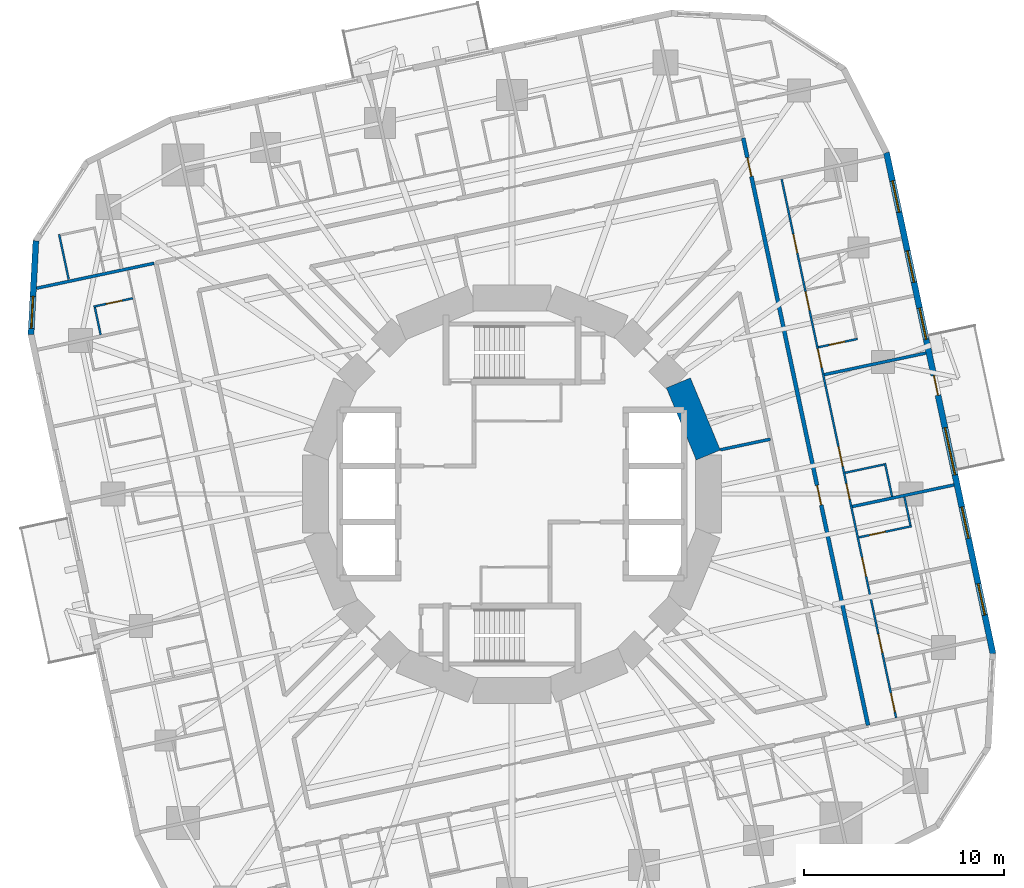
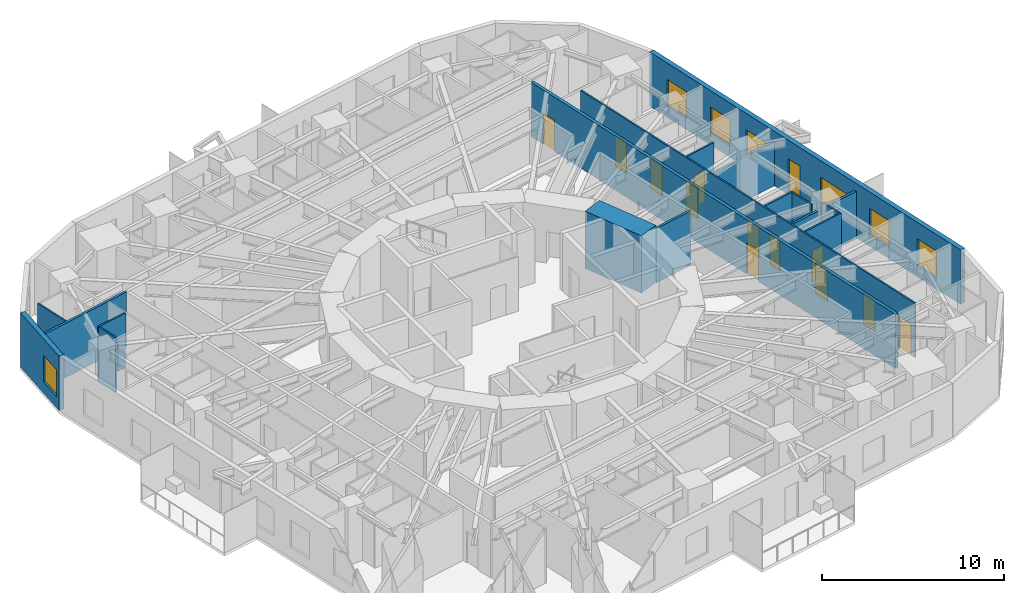
# One storey, part 9 of 14: 17 walls, 14 doors, 7 windows, 21 openings.
"""IFC4 building model written with IfcOpenShell, lengths in metres."""

from ifc_helpers import new_model, si_unit, direction, frame, frame_2d, origin, place, context, subcontext, project, spatial, rectangle, extrude, material, layer, layer_set, type_object, element, fill, save


model = new_model("IFC4")

# Units and contexts
model_context = context("Model", 3, precision=1e-05, world=origin(), true_north=direction((0.0, 1.0)))
body_context = subcontext(model_context, "Body", "Model", "MODEL_VIEW")
ifc_project = project(units=[si_unit("LENGTHUNIT", "METRE"), si_unit("AREAUNIT", "SQUARE_METRE"), si_unit("VOLUMEUNIT", "CUBIC_METRE"), si_unit("PLANEANGLEUNIT", "RADIAN"), si_unit("MASSUNIT", "GRAM", prefix="KILO")], contexts=[model_context])

# Site, building, storey
site_placement = place(None, origin())
site = spatial("IfcSite", under=ifc_project, at=site_placement, CompositionType="ELEMENT")
building_placement = place(site_placement, origin())
building = spatial("IfcBuilding", under=site, at=building_placement, Name="Nakasero Lantern House", CompositionType="ELEMENT")
storey_placement = place(building_placement, frame((0.0, 0.0, 112.699951171875)))
storey = spatial("IfcBuildingStorey", under=building, at=storey_placement, Name="L27", CompositionType="ELEMENT", Elevation=112.699951171875)

# Wall, openings, doors
ifc_material_1 = material(Name="Blockwork", Category="masonry")
ifc_layer_1 = layer(ifc_material_1, 0.10009765625)
ifc_layer_set_1 = layer_set([ifc_layer_1], Name="Cluster hall wall 100")
wall_type_1 = type_object("IfcWallType", Name="Cluster hall wall 100", PredefinedType="PARTITIONING", material=ifc_layer_set_1)
wall_1_placement = place(storey_placement, frame((19.193603515625, -11.1787109375, 0.0), z_axis=(0.0, 0.0, 1.0), x_axis=(-0.207915639441, 0.97814676142, 0.0)))
wall_1 = element("IfcWall", 1, at=wall_1_placement, inside=storey, type_object=wall_type_1, Name="Cluster hall wall L27 HW0-0", PredefinedType="PARTITIONING", context=body_context, shape_type="SweptSolid", body=[
    extrude(rectangle(XDim=27.513427734375, YDim=0.10009765625, at=frame_2d((13.7568359375, 0.0))), origin(), (0.0, 0.0, 1.0), 3.650146484375),
])
opening_1_placement = place(wall_1_placement, frame((12.848876953125, 0.0, 0.0)))
opening_1 = element("IfcOpeningElement", 2, at=opening_1_placement, cuts=wall_1, Name="Opening D03", PredefinedType="OPENING", context=body_context, shape_type="SweptSolid", body=[
    extrude(rectangle(XDim=1.0, YDim=2.10009765625, at=frame_2d((0.5, 1.050048828125))), frame((0.0, 0.070068359375, 0.0), z_axis=(0.0, -1.0, 0.0), x_axis=(1.0, 0.0, 0.0)), (0.0, 0.0, 1.0), 0.14013671875),
])
opening_2_placement = place(wall_1_placement, frame((11.155029296875, 0.0, 0.0)))
opening_2 = element("IfcOpeningElement", 3, at=opening_2_placement, cuts=wall_1, Name="Opening D02", PredefinedType="OPENING", context=body_context, shape_type="SweptSolid", body=[
    extrude(rectangle(XDim=0.800048828125, YDim=2.10009765625, at=frame_2d((0.39990234375, 1.050048828125))), frame((0.0, 0.070068359375, 0.0), z_axis=(0.0, -1.0, 0.0), x_axis=(1.0, 0.0, 0.0)), (0.0, 0.0, 1.0), 0.14013671875),
])
opening_3_placement = place(wall_1_placement, frame((0.300048828125, 0.0, 0.0)))
opening_3 = element("IfcOpeningElement", 4, at=opening_3_placement, cuts=wall_1, Name="Opening D01", PredefinedType="OPENING", context=body_context, shape_type="SweptSolid", body=[
    extrude(rectangle(XDim=0.949951171875, YDim=2.10009765625, at=frame_2d((0.47509765625, 1.050048828125))), frame((0.0, 0.070068359375, 0.0), z_axis=(0.0, -1.0, 0.0), x_axis=(1.0, 0.0, 0.0)), (0.0, 0.0, 1.0), 0.14013671875),
])
opening_4_placement = place(wall_1_placement, frame((3.316162109375, 0.0, 0.0)))
opening_4 = element("IfcOpeningElement", 5, at=opening_4_placement, cuts=wall_1, Name="Opening D01", PredefinedType="OPENING", context=body_context, shape_type="SweptSolid", body=[
    extrude(rectangle(XDim=0.949951171875, YDim=2.10009765625, at=frame_2d((0.47509765625, 1.050048828125))), frame((0.0, 0.070068359375, 0.0), z_axis=(0.0, -1.0, 0.0), x_axis=(1.0, 0.0, 0.0)), (0.0, 0.0, 1.0), 0.14013671875),
])
opening_5_placement = place(wall_1_placement, frame((7.235595703125, 0.0, 0.0)))
opening_5 = element("IfcOpeningElement", 6, at=opening_5_placement, cuts=wall_1, Name="Opening D01", PredefinedType="OPENING", context=body_context, shape_type="SweptSolid", body=[
    extrude(rectangle(XDim=0.949951171875, YDim=2.10009765625, at=frame_2d((0.47509765625, 1.050048828125))), frame((0.0, 0.070068359375, 0.0), z_axis=(0.0, -1.0, 0.0), x_axis=(1.0, 0.0, 0.0)), (0.0, 0.0, 1.0), 0.14013671875),
])
opening_6_placement = place(wall_1_placement, frame((17.892578125, 0.0, 0.0)))
opening_6 = element("IfcOpeningElement", 7, at=opening_6_placement, cuts=wall_1, Name="Opening D01", PredefinedType="OPENING", context=body_context, shape_type="SweptSolid", body=[
    extrude(rectangle(XDim=0.949951171875, YDim=2.10009765625, at=frame_2d((0.47509765625, 1.050048828125))), frame((0.0, 0.070068359375, 0.0), z_axis=(0.0, -1.0, 0.0), x_axis=(1.0, 0.0, 0.0)), (0.0, 0.0, 1.0), 0.14013671875),
])
opening_7_placement = place(wall_1_placement, frame((20.81884765625, 0.0, 0.0)))
opening_7 = element("IfcOpeningElement", 8, at=opening_7_placement, cuts=wall_1, Name="Opening D01", PredefinedType="OPENING", context=body_context, shape_type="SweptSolid", body=[
    extrude(rectangle(XDim=0.949951171875, YDim=2.10009765625, at=frame_2d((0.47509765625, 1.050048828125))), frame((0.0, 0.070068359375, 0.0), z_axis=(0.0, -1.0, 0.0), x_axis=(1.0, 0.0, 0.0)), (0.0, 0.0, 1.0), 0.14013671875),
])
opening_8_placement = place(wall_1_placement, frame((23.745361328125, 0.0, 0.0)))
opening_8 = element("IfcOpeningElement", 9, at=opening_8_placement, cuts=wall_1, Name="Opening D01", PredefinedType="OPENING", context=body_context, shape_type="SweptSolid", body=[
    extrude(rectangle(XDim=0.949951171875, YDim=2.10009765625, at=frame_2d((0.47509765625, 1.050048828125))), frame((0.0, 0.070068359375, 0.0), z_axis=(0.0, -1.0, 0.0), x_axis=(1.0, 0.0, 0.0)), (0.0, 0.0, 1.0), 0.14013671875),
])
ifc_material_2 = material(Name="Timber C24", Category="wood")
door_type_1 = type_object("IfcDoorType", Name="Bedroom door FD30S 950", OperationType="SINGLE_SWING_LEFT", PredefinedType="DOOR", material=ifc_material_2)
door_1_placement = place(opening_3_placement, origin())
door_1 = element("IfcDoor", 10, at=door_1_placement, inside=storey, type_object=door_type_1, Name="Door L27 D0-00", OperationType="SINGLE_SWING_LEFT", OverallHeight=2.10009765625, OverallWidth=0.949951171875, PredefinedType="DOOR", context=body_context, shape_type="SweptSolid", body=[
    extrude(rectangle(XDim=0.949951171875, YDim=2.10009765625, at=frame_2d((0.47509765625, 1.050048828125))), frame((0.0, 0.02490234375, 0.0), z_axis=(0.0, -1.0, 0.0), x_axis=(1.0, 0.0, 0.0)), (0.0, 0.0, 1.0), 0.050048828125),
])
fill(opening_3, door_1)
door_2_placement = place(opening_4_placement, origin())
door_2 = element("IfcDoor", 11, at=door_2_placement, inside=storey, type_object=door_type_1, Name="Door L27 D0-01", OperationType="SINGLE_SWING_LEFT", OverallHeight=2.10009765625, OverallWidth=0.949951171875, PredefinedType="DOOR", context=body_context, shape_type="SweptSolid", body=[
    extrude(rectangle(XDim=0.949951171875, YDim=2.10009765625, at=frame_2d((0.47509765625, 1.050048828125))), frame((0.0, 0.02490234375, 0.0), z_axis=(0.0, -1.0, 0.0), x_axis=(1.0, 0.0, 0.0)), (0.0, 0.0, 1.0), 0.050048828125),
])
fill(opening_4, door_2)
door_3_placement = place(opening_5_placement, origin())
door_3 = element("IfcDoor", 12, at=door_3_placement, inside=storey, type_object=door_type_1, Name="Door L27 D0-02", OperationType="SINGLE_SWING_LEFT", OverallHeight=2.10009765625, OverallWidth=0.949951171875, PredefinedType="DOOR", context=body_context, shape_type="SweptSolid", body=[
    extrude(rectangle(XDim=0.949951171875, YDim=2.10009765625, at=frame_2d((0.47509765625, 1.050048828125))), frame((0.0, 0.02490234375, 0.0), z_axis=(0.0, -1.0, 0.0), x_axis=(1.0, 0.0, 0.0)), (0.0, 0.0, 1.0), 0.050048828125),
])
fill(opening_5, door_3)
door_4_placement = place(opening_6_placement, origin())
door_4 = element("IfcDoor", 13, at=door_4_placement, inside=storey, type_object=door_type_1, Name="Door L27 D0-05", OperationType="SINGLE_SWING_RIGHT", OverallHeight=2.10009765625, OverallWidth=0.949951171875, PredefinedType="DOOR", context=body_context, shape_type="SweptSolid", body=[
    extrude(rectangle(XDim=0.949951171875, YDim=2.10009765625, at=frame_2d((0.47509765625, 1.050048828125))), frame((0.0, 0.02490234375, 0.0), z_axis=(0.0, -1.0, 0.0), x_axis=(1.0, 0.0, 0.0)), (0.0, 0.0, 1.0), 0.050048828125),
])
fill(opening_6, door_4)
door_5_placement = place(opening_7_placement, origin())
door_5 = element("IfcDoor", 14, at=door_5_placement, inside=storey, type_object=door_type_1, Name="Door L27 D0-06", OperationType="SINGLE_SWING_RIGHT", OverallHeight=2.10009765625, OverallWidth=0.949951171875, PredefinedType="DOOR", context=body_context, shape_type="SweptSolid", body=[
    extrude(rectangle(XDim=0.949951171875, YDim=2.10009765625, at=frame_2d((0.47509765625, 1.050048828125))), frame((0.0, 0.02490234375, 0.0), z_axis=(0.0, -1.0, 0.0), x_axis=(1.0, 0.0, 0.0)), (0.0, 0.0, 1.0), 0.050048828125),
])
fill(opening_7, door_5)
door_6_placement = place(opening_8_placement, origin())
door_6 = element("IfcDoor", 15, at=door_6_placement, inside=storey, type_object=door_type_1, Name="Door L27 D0-07", OperationType="SINGLE_SWING_RIGHT", OverallHeight=2.10009765625, OverallWidth=0.949951171875, PredefinedType="DOOR", context=body_context, shape_type="SweptSolid", body=[
    extrude(rectangle(XDim=0.949951171875, YDim=2.10009765625, at=frame_2d((0.47509765625, 1.050048828125))), frame((0.0, 0.02490234375, 0.0), z_axis=(0.0, -1.0, 0.0), x_axis=(1.0, 0.0, 0.0)), (0.0, 0.0, 1.0), 0.050048828125),
])
fill(opening_8, door_6)
ifc_material_3 = material(Name="Timber C24", Category="wood")
door_type_2 = type_object("IfcDoorType", Name="En-suite door 800", OperationType="SINGLE_SWING_RIGHT", PredefinedType="DOOR", material=ifc_material_3)
door_7_placement = place(opening_2_placement, origin())
door_7 = element("IfcDoor", 16, at=door_7_placement, inside=storey, type_object=door_type_2, Name="Door L27 DSH0-0", OperationType="SINGLE_SWING_LEFT", OverallHeight=2.10009765625, OverallWidth=0.800048828125, PredefinedType="DOOR", context=body_context, shape_type="SweptSolid", body=[
    extrude(rectangle(XDim=0.800048828125, YDim=2.10009765625, at=frame_2d((0.39990234375, 1.050048828125))), frame((0.0, 0.02490234375, 0.0), z_axis=(0.0, -1.0, 0.0), x_axis=(1.0, 0.0, 0.0)), (0.0, 0.0, 1.0), 0.050048828125),
])
fill(opening_2, door_7)
ifc_material_4 = material(Name="Timber C24", Category="wood")
door_type_3 = type_object("IfcDoorType", Name="Lounge door FD30S 1000", OperationType="SINGLE_SWING_LEFT", PredefinedType="DOOR", material=ifc_material_4)
door_8_placement = place(opening_1_placement, origin())
door_8 = element("IfcDoor", 17, at=door_8_placement, inside=storey, type_object=door_type_3, Name="Door L27 DH0-0", OperationType="SINGLE_SWING_LEFT", OverallHeight=2.10009765625, OverallWidth=1.0, PredefinedType="DOOR", context=body_context, shape_type="SweptSolid", body=[
    extrude(rectangle(XDim=1.0, YDim=2.10009765625, at=frame_2d((0.5, 1.050048828125))), frame((0.0, 0.02490234375, 0.0), z_axis=(0.0, -1.0, 0.0), x_axis=(1.0, 0.0, 0.0)), (0.0, 0.0, 1.0), 0.050048828125),
])
fill(opening_1, door_8)

# Wall
ifc_material_5 = material(Name="Concrete C50/60", Category="concrete")
ifc_layer_2 = layer(ifc_material_5, 1.300048828125)
ifc_layer_set_2 = layer_set([ifc_layer_2], Name="Core wall 1300")
wall_type_2 = type_object("IfcWallType", Name="Core wall 1300", PredefinedType="SHEAR", material=ifc_layer_set_2)
wall_2_placement = place(storey_placement, frame((9.807861328125, 1.950927734375, 0.0), z_axis=(0.0, 0.0, 1.0), x_axis=(-0.382690736062, 0.923876507187, 0.0)))
element("IfcWall", 18, at=wall_2_placement, inside=storey, type_object=wall_type_2, Name="Core wall L27 facet 1", PredefinedType="SHEAR", context=body_context, shape_type="SweptSolid", body=[
    extrude(rectangle(XDim=3.90185546875, YDim=1.300048828125, at=frame_2d((1.950927734375, 0.0))), origin(), (0.0, 0.0, 1.0), 3.85009765625),
])

# Wall, openings, doors
ifc_material_6 = material(Name="Blockwork", Category="masonry")
ifc_layer_3 = layer(ifc_material_6, 0.199951171875)
ifc_layer_set_3 = layer_set([ifc_layer_3], Name="Corridor wall 200")
wall_type_3 = type_object("IfcWallType", Name="Corridor wall 200", PredefinedType="PARTITIONING", material=ifc_layer_set_3)
wall_3_placement = place(storey_placement, frame((17.790771484375, -11.553466796875, 0.0), z_axis=(0.0, 0.0, 1.0), x_axis=(-0.207911508826, 0.978147639417, 0.0)))
wall_3 = element("IfcWall", 19, at=wall_3_placement, inside=storey, type_object=wall_type_3, Name="Corridor wall L27 CW0", PredefinedType="PARTITIONING", context=body_context, shape_type="SweptSolid", body=[
    extrude(rectangle(XDim=29.999755859375, YDim=0.199951171875, at=frame_2d((15.0, 0.0))), origin(), (0.0, 0.0, 1.0), 3.650146484375),
])
opening_9_placement = place(wall_3_placement, frame((11.255126953125, 0.0, 0.0)))
opening_9 = element("IfcOpeningElement", 20, at=opening_9_placement, cuts=wall_3, Name="Opening D14", PredefinedType="OPENING", context=body_context, shape_type="SweptSolid", body=[
    extrude(rectangle(XDim=1.0, YDim=2.10009765625, at=frame_2d((0.5, 1.050048828125))), frame((0.0, 0.119873046875, 0.0), z_axis=(0.0, -1.0, 0.0), x_axis=(1.0, 0.0, 0.0)), (0.0, 0.0, 1.0), 0.239990234375),
])
opening_10_placement = place(wall_3_placement, frame((28.038330078125, 0.0, 0.0)))
opening_10 = element("IfcOpeningElement", 21, at=opening_10_placement, cuts=wall_3, Name="Opening D01", PredefinedType="OPENING", context=body_context, shape_type="SweptSolid", body=[
    extrude(rectangle(XDim=0.949951171875, YDim=2.10009765625, at=frame_2d((0.47509765625, 1.050048828125))), frame((0.0, 0.119873046875, 0.0), z_axis=(0.0, -1.0, 0.0), x_axis=(1.0, 0.0, 0.0)), (0.0, 0.0, 1.0), 0.239990234375),
])
door_9_placement = place(opening_10_placement, origin())
door_9 = element("IfcDoor", 22, at=door_9_placement, inside=storey, type_object=door_type_1, Name="Door L27 D0-08", OperationType="SINGLE_SWING_RIGHT", OverallHeight=2.10009765625, OverallWidth=0.949951171875, PredefinedType="DOOR", context=body_context, shape_type="SweptSolid", body=[
    extrude(rectangle(XDim=0.949951171875, YDim=2.10009765625, at=frame_2d((0.47509765625, 1.050048828125))), frame((0.0, 0.02490234375, 0.0), z_axis=(0.0, -1.0, 0.0), x_axis=(1.0, 0.0, 0.0)), (0.0, 0.0, 1.0), 0.050048828125),
])
fill(opening_10, door_9)
ifc_material_7 = material(Name="Timber C24", Category="wood")
door_type_4 = type_object("IfcDoorType", Name="Cluster entrance door FD30S 1000", OperationType="SINGLE_SWING_LEFT", PredefinedType="DOOR", material=ifc_material_7)
door_10_placement = place(opening_9_placement, origin())
door_10 = element("IfcDoor", 23, at=door_10_placement, inside=storey, type_object=door_type_4, Name="Door L27 DF0-0", OperationType="SINGLE_SWING_LEFT", OverallHeight=2.10009765625, OverallWidth=1.0, PredefinedType="DOOR", context=body_context, shape_type="SweptSolid", body=[
    extrude(rectangle(XDim=1.0, YDim=2.10009765625, at=frame_2d((0.5, 1.050048828125))), frame((0.0, 0.02490234375, 0.0), z_axis=(0.0, -1.0, 0.0), x_axis=(1.0, 0.0, 0.0)), (0.0, 0.0, 1.0), 0.050048828125),
])
fill(opening_9, door_10)

# Walls
ifc_material_8 = material(Name="Blockwork", Category="masonry")
ifc_layer_4 = layer(ifc_material_8, 0.10009765625)
ifc_layer_set_4 = layer_set([ifc_layer_4], Name="En-suite wall 100")
wall_type_4 = type_object("IfcWallType", Name="En-suite wall 100", PredefinedType="PARTITIONING", material=ifc_layer_set_4)
wall_4_placement = place(storey_placement, frame((16.642578125, 1.0634765625, 0.0), z_axis=(0.0, 0.0, 1.0), x_axis=(0.978134617382, 0.207972763311, 0.0)))
element("IfcWall", 24, at=wall_4_placement, inside=storey, type_object=wall_type_4, Name="En-suite wall L27 SS0-0", PredefinedType="PARTITIONING", context=body_context, shape_type="SweptSolid", body=[
    extrude(rectangle(XDim=2.10009765625, YDim=0.10009765625, at=frame_2d((1.050048828125, 0.0))), origin(), (0.0, 0.0, 1.0), 3.650146484375),
])
wall_5_placement = place(storey_placement, frame((18.99072265625, -0.124267578125, 0.0), z_axis=(0.0, 0.0, 1.0), x_axis=(-0.207812379357, 0.978168704767, 0.0)))
element("IfcWall", 25, at=wall_5_placement, inside=storey, type_object=wall_type_4, Name="En-suite wall L27 SE0-0", PredefinedType="PARTITIONING", context=body_context, shape_type="SweptSolid", body=[
    extrude(rectangle(XDim=1.699951171875, YDim=0.10009765625, at=frame_2d((0.85009765625, 0.0))), origin(), (0.0, 0.0, 1.0), 3.650146484375),
])

# Wall, opening, door
wall_6_placement = place(storey_placement, frame((17.32861328125, -2.164306640625, 0.0), z_axis=(0.0, 0.0, 1.0), x_axis=(0.97815563361, 0.207873895514, 0.0)))
wall_6 = element("IfcWall", 26, at=wall_6_placement, inside=storey, type_object=wall_type_4, Name="En-suite wall L27 ES0-02", PredefinedType="PARTITIONING", context=body_context, shape_type="SweptSolid", body=[
    extrude(rectangle(XDim=2.7001953125, YDim=0.10009765625, at=frame_2d((1.35009765625, 0.0))), origin(), (0.0, 0.0, 1.0), 3.650146484375),
])
opening_11_placement = place(wall_6_placement, frame((0.550048828125, 0.0, 0.0)))
opening_11 = element("IfcOpeningElement", 27, at=opening_11_placement, cuts=wall_6, Name="Opening D02", PredefinedType="OPENING", context=body_context, shape_type="SweptSolid", body=[
    extrude(rectangle(XDim=0.800048828125, YDim=2.10009765625, at=frame_2d((0.39990234375, 1.050048828125))), frame((0.0, 0.070068359375, 0.0), z_axis=(0.0, -1.0, 0.0), x_axis=(1.0, 0.0, 0.0)), (0.0, 0.0, 1.0), 0.14013671875),
])
door_11_placement = place(opening_11_placement, origin())
door_11 = element("IfcDoor", 28, at=door_11_placement, inside=storey, type_object=door_type_2, Name="Door L27 DE0-02", OperationType="SINGLE_SWING_LEFT", OverallHeight=2.10009765625, OverallWidth=0.800048828125, PredefinedType="DOOR", context=body_context, shape_type="SweptSolid", body=[
    extrude(rectangle(XDim=0.800048828125, YDim=2.10009765625, at=frame_2d((0.39990234375, 1.050048828125))), frame((0.0, 0.02490234375, 0.0), z_axis=(0.0, -1.0, 0.0), x_axis=(1.0, 0.0, 0.0)), (0.0, 0.0, 1.0), 0.050048828125),
])
fill(opening_11, door_11)

# Wall
wall_7_placement = place(storey_placement, frame((19.910400390625, -1.564453125, 0.0), z_axis=(0.0, 0.0, 1.0), x_axis=(-0.207953405961, 0.978138732977, 0.0)))
element("IfcWall", 29, at=wall_7_placement, inside=storey, type_object=wall_type_4, Name="En-suite wall L27 EE0-02", PredefinedType="PARTITIONING", context=body_context, shape_type="SweptSolid", body=[
    extrude(rectangle(XDim=1.449951171875, YDim=0.10009765625, at=frame_2d((0.72509765625, 0.0))), origin(), (0.0, 0.0, 1.0), 3.650146484375),
])

# Wall, opening, door
wall_8_placement = place(storey_placement, frame((15.30908203125, 7.337158203125, 0.0), z_axis=(0.0, 0.0, 1.0), x_axis=(0.978152955943, 0.207886494942, 0.0)))
wall_8 = element("IfcWall", 30, at=wall_8_placement, inside=storey, type_object=wall_type_4, Name="En-suite wall L27 ES0-05", PredefinedType="PARTITIONING", context=body_context, shape_type="SweptSolid", body=[
    extrude(rectangle(XDim=2.0, YDim=0.10009765625, at=frame_2d((1.0, 0.0))), origin(), (0.0, 0.0, 1.0), 3.650146484375),
])
opening_12_placement = place(wall_8_placement, frame((0.550048828125, 0.0, 0.0)))
opening_12 = element("IfcOpeningElement", 31, at=opening_12_placement, cuts=wall_8, Name="Opening D02", PredefinedType="OPENING", context=body_context, shape_type="SweptSolid", body=[
    extrude(rectangle(XDim=0.800048828125, YDim=2.10009765625, at=frame_2d((0.39990234375, 1.050048828125))), frame((0.0, 0.070068359375, 0.0), z_axis=(0.0, -1.0, 0.0), x_axis=(1.0, 0.0, 0.0)), (0.0, 0.0, 1.0), 0.14013671875),
])
door_12_placement = place(opening_12_placement, origin())
door_12 = element("IfcDoor", 32, at=door_12_placement, inside=storey, type_object=door_type_2, Name="Door L27 DE0-05", OperationType="SINGLE_SWING_LEFT", OverallHeight=2.10009765625, OverallWidth=0.800048828125, PredefinedType="DOOR", context=body_context, shape_type="SweptSolid", body=[
    extrude(rectangle(XDim=0.800048828125, YDim=2.10009765625, at=frame_2d((0.39990234375, 1.050048828125))), frame((0.0, 0.02490234375, 0.0), z_axis=(0.0, -1.0, 0.0), x_axis=(1.0, 0.0, 0.0)), (0.0, 0.0, 1.0), 0.050048828125),
])
fill(opening_12, door_12)

# Wall
wall_9_placement = place(storey_placement, frame((-22.150634765625, 10.72900390625, 0.0), z_axis=(0.0, 0.0, 1.0), x_axis=(-0.207839712757, 0.978162897375, 0.0)))
element("IfcWall", 33, at=wall_9_placement, inside=storey, type_object=wall_type_4, Name="En-suite wall L27 EV1-08", PredefinedType="PARTITIONING", context=body_context, shape_type="SweptSolid", body=[
    extrude(rectangle(XDim=2.300048828125, YDim=0.10009765625, at=frame_2d((1.14990234375, 0.0))), origin(), (0.0, 0.0, 1.0), 3.650146484375),
])

# Wall, opening, door
wall_10_placement = place(storey_placement, frame((-18.947998046875, 9.783203125, 0.0), z_axis=(0.0, 0.0, 1.0), x_axis=(-0.978128127149, -0.208003285743, 0.0)))
wall_10 = element("IfcWall", 34, at=wall_10_placement, inside=storey, type_object=wall_type_4, Name="En-suite wall L27 ES2-00", PredefinedType="PARTITIONING", context=body_context, shape_type="SweptSolid", body=[
    extrude(rectangle(XDim=2.0, YDim=0.10009765625, at=frame_2d((1.0, 0.0))), origin(), (0.0, 0.0, 1.0), 3.650146484375),
])
opening_13_placement = place(wall_10_placement, frame((0.550048828125, 0.0, 0.0)))
opening_13 = element("IfcOpeningElement", 35, at=opening_13_placement, cuts=wall_10, Name="Opening D02", PredefinedType="OPENING", context=body_context, shape_type="SweptSolid", body=[
    extrude(rectangle(XDim=0.800048828125, YDim=2.10009765625, at=frame_2d((0.39990234375, 1.050048828125))), frame((0.0, 0.070068359375, 0.0), z_axis=(0.0, -1.0, 0.0), x_axis=(1.0, 0.0, 0.0)), (0.0, 0.0, 1.0), 0.14013671875),
])
door_13_placement = place(opening_13_placement, origin())
door_13 = element("IfcDoor", 36, at=door_13_placement, inside=storey, type_object=door_type_2, Name="Door L27 DE2-00", OperationType="SINGLE_SWING_LEFT", OverallHeight=2.10009765625, OverallWidth=0.800048828125, PredefinedType="DOOR", context=body_context, shape_type="SweptSolid", body=[
    extrude(rectangle(XDim=0.800048828125, YDim=2.10009765625, at=frame_2d((0.39990234375, 1.050048828125))), frame((0.0, 0.02490234375, 0.0), z_axis=(0.0, -1.0, 0.0), x_axis=(1.0, 0.0, 0.0)), (0.0, 0.0, 1.0), 0.050048828125),
])
fill(opening_13, door_13)

# Wall
wall_11_placement = place(storey_placement, frame((-20.844970703125, 9.328857421875, 0.0), z_axis=(0.0, 0.0, 1.0), x_axis=(0.207873355681, -0.978155748334, 0.0)))
element("IfcWall", 37, at=wall_11_placement, inside=storey, type_object=wall_type_4, Name="En-suite wall L27 EE2-00", PredefinedType="PARTITIONING", context=body_context, shape_type="SweptSolid", body=[
    extrude(rectangle(XDim=1.39990234375, YDim=0.10009765625, at=frame_2d((0.699951171875, 0.0))), origin(), (0.0, 0.0, 1.0), 3.650146484375),
])

# Wall, openings, door, windows
ifc_material_9 = material(Name="Aluminium rainscreen on blockwork", Category="masonry")
ifc_layer_5 = layer(ifc_material_9, 0.300048828125)
ifc_layer_set_5 = layer_set([ifc_layer_5], Name="Facade wall 300")
wall_type_5 = type_object("IfcWallType", Name="Facade wall 300", PredefinedType="SOLIDWALL", material=ifc_layer_set_5)
wall_12_placement = place(storey_placement, frame((24.03369140625, -7.9775390625, 0.0), z_axis=(0.0, 0.0, 1.0), x_axis=(-0.207909055127, 0.978148160964, 0.0)))
wall_12 = element("IfcWall", 38, at=wall_12_placement, inside=storey, type_object=wall_type_5, Name="Facade wall L27 FW0S", PredefinedType="SOLIDWALL", context=body_context, shape_type="SweptSolid", body=[
    extrude(rectangle(XDim=25.60009765625, YDim=0.300048828125, at=frame_2d((12.800048828125, 0.0))), origin(), (0.0, 0.0, 1.0), 3.650146484375),
])
opening_14_placement = place(wall_12_placement, frame((1.975830078125, 0.0, 0.75)))
opening_14 = element("IfcOpeningElement", 39, at=opening_14_placement, cuts=wall_12, Name="Opening W01", PredefinedType="OPENING", context=body_context, shape_type="SweptSolid", body=[
    extrude(rectangle(XDim=1.60009765625, YDim=1.800048828125, at=frame_2d((0.800048828125, 0.89990234375))), frame((0.0, 0.169921875, 0.0), z_axis=(0.0, -1.0, 0.0), x_axis=(1.0, 0.0, 0.0)), (0.0, 0.0, 1.0), 0.340087890625),
])
opening_15_placement = place(wall_12_placement, frame((5.8955078125, 0.0, 0.75)))
opening_15 = element("IfcOpeningElement", 40, at=opening_15_placement, cuts=wall_12, Name="Opening W01", PredefinedType="OPENING", context=body_context, shape_type="SweptSolid", body=[
    extrude(rectangle(XDim=1.60009765625, YDim=1.800048828125, at=frame_2d((0.800048828125, 0.89990234375))), frame((0.0, 0.169921875, 0.0), z_axis=(0.0, -1.0, 0.0), x_axis=(1.0, 0.0, 0.0)), (0.0, 0.0, 1.0), 0.340087890625),
])
opening_16_placement = place(wall_12_placement, frame((16.0556640625, 0.0, 0.75)))
opening_16 = element("IfcOpeningElement", 41, at=opening_16_placement, cuts=wall_12, Name="Opening W01", PredefinedType="OPENING", context=body_context, shape_type="SweptSolid", body=[
    extrude(rectangle(XDim=1.60009765625, YDim=1.800048828125, at=frame_2d((0.800048828125, 0.89990234375))), frame((0.0, 0.169921875, 0.0), z_axis=(0.0, -1.0, 0.0), x_axis=(1.0, 0.0, 0.0)), (0.0, 0.0, 1.0), 0.340087890625),
])
opening_17_placement = place(wall_12_placement, frame((18.982177734375, 0.0, 0.75)))
opening_17 = element("IfcOpeningElement", 42, at=opening_17_placement, cuts=wall_12, Name="Opening W01", PredefinedType="OPENING", context=body_context, shape_type="SweptSolid", body=[
    extrude(rectangle(XDim=1.60009765625, YDim=1.800048828125, at=frame_2d((0.800048828125, 0.89990234375))), frame((0.0, 0.169921875, 0.0), z_axis=(0.0, -1.0, 0.0), x_axis=(1.0, 0.0, 0.0)), (0.0, 0.0, 1.0), 0.340087890625),
])
opening_18_placement = place(wall_12_placement, frame((22.554443359375, 0.0, 0.75)))
opening_18 = element("IfcOpeningElement", 43, at=opening_18_placement, cuts=wall_12, Name="Opening W01", PredefinedType="OPENING", context=body_context, shape_type="SweptSolid", body=[
    extrude(rectangle(XDim=1.60009765625, YDim=1.800048828125, at=frame_2d((0.800048828125, 0.89990234375))), frame((0.0, 0.169921875, 0.0), z_axis=(0.0, -1.0, 0.0), x_axis=(1.0, 0.0, 0.0)), (0.0, 0.0, 1.0), 0.340087890625),
])
opening_19_placement = place(wall_12_placement, frame((9.139404296875, 0.0, 0.75)))
opening_19 = element("IfcOpeningElement", 44, at=opening_19_placement, cuts=wall_12, Name="Opening W03", PredefinedType="OPENING", context=body_context, shape_type="SweptSolid", body=[
    extrude(rectangle(XDim=2.39990234375, YDim=1.800048828125, at=frame_2d((1.199951171875, 0.89990234375))), frame((0.0, 0.169921875, 0.0), z_axis=(0.0, -1.0, 0.0), x_axis=(1.0, 0.0, 0.0)), (0.0, 0.0, 1.0), 0.340087890625),
])
opening_20_placement = place(wall_12_placement, frame((13.208251953125, 0.0, 0.0)))
opening_20 = element("IfcOpeningElement", 45, at=opening_20_placement, cuts=wall_12, Name="Opening D04", PredefinedType="OPENING", context=body_context, shape_type="SweptSolid", body=[
    extrude(rectangle(XDim=1.0, YDim=2.39990234375, at=frame_2d((0.5, 1.199951171875))), frame((0.0, 0.169921875, 0.0), z_axis=(0.0, -1.0, 0.0), x_axis=(1.0, 0.0, 0.0)), (0.0, 0.0, 1.0), 0.340087890625),
])
ifc_material_10 = material(Name="Aluminium 6063-T6 and glass", Category="aluminium")
door_type_5 = type_object("IfcDoorType", Name="Balcony door 1000x2400", OperationType="SINGLE_SWING_RIGHT", PredefinedType="DOOR", material=ifc_material_10)
door_14_placement = place(opening_20_placement, origin())
door_14 = element("IfcDoor", 46, at=door_14_placement, inside=storey, type_object=door_type_5, Name="Balcony door L27 DB0", OperationType="SINGLE_SWING_RIGHT", OverallHeight=2.39990234375, OverallWidth=1.0, PredefinedType="DOOR", context=body_context, shape_type="SweptSolid", body=[
    extrude(rectangle(XDim=1.0, YDim=2.39990234375, at=frame_2d((0.5, 1.199951171875))), frame((0.0, 0.02490234375, 0.0), z_axis=(0.0, -1.0, 0.0), x_axis=(1.0, 0.0, 0.0)), (0.0, 0.0, 1.0), 0.050048828125),
])
fill(opening_20, door_14)
ifc_material_11 = material(Name="Aluminium 6063-T6 and glass", Category="aluminium")
window_type_1 = type_object("IfcWindowType", Name="Bedroom window 1600x1800", PartitioningType="SINGLE_PANEL", PredefinedType="WINDOW", material=ifc_material_11)
window_1_placement = place(opening_14_placement, origin())
window_1 = element("IfcWindow", 47, at=window_1_placement, inside=storey, type_object=window_type_1, Name="Window L27 WN0-01", OverallHeight=1.800048828125, OverallWidth=1.60009765625, PartitioningType="SINGLE_PANEL", PredefinedType="WINDOW", context=body_context, shape_type="SweptSolid", body=[
    extrude(rectangle(XDim=1.60009765625, YDim=1.800048828125, at=frame_2d((0.800048828125, 0.89990234375))), frame((0.0, 0.030029296875, 0.0), z_axis=(0.0, -1.0, 0.0), x_axis=(1.0, 0.0, 0.0)), (0.0, 0.0, 1.0), 0.06005859375),
])
fill(opening_14, window_1)
window_2_placement = place(opening_15_placement, origin())
window_2 = element("IfcWindow", 48, at=window_2_placement, inside=storey, type_object=window_type_1, Name="Window L27 WN0-02", OverallHeight=1.800048828125, OverallWidth=1.60009765625, PartitioningType="SINGLE_PANEL", PredefinedType="WINDOW", context=body_context, shape_type="SweptSolid", body=[
    extrude(rectangle(XDim=1.60009765625, YDim=1.800048828125, at=frame_2d((0.800048828125, 0.89990234375))), frame((0.0, 0.030029296875, 0.0), z_axis=(0.0, -1.0, 0.0), x_axis=(1.0, 0.0, 0.0)), (0.0, 0.0, 1.0), 0.06005859375),
])
fill(opening_15, window_2)
window_3_placement = place(opening_16_placement, origin())
window_3 = element("IfcWindow", 49, at=window_3_placement, inside=storey, type_object=window_type_1, Name="Window L27 WN0-05", OverallHeight=1.800048828125, OverallWidth=1.60009765625, PartitioningType="SINGLE_PANEL", PredefinedType="WINDOW", context=body_context, shape_type="SweptSolid", body=[
    extrude(rectangle(XDim=1.60009765625, YDim=1.800048828125, at=frame_2d((0.800048828125, 0.89990234375))), frame((0.0, 0.030029296875, 0.0), z_axis=(0.0, -1.0, 0.0), x_axis=(1.0, 0.0, 0.0)), (0.0, 0.0, 1.0), 0.06005859375),
])
fill(opening_16, window_3)
window_4_placement = place(opening_17_placement, origin())
window_4 = element("IfcWindow", 50, at=window_4_placement, inside=storey, type_object=window_type_1, Name="Window L27 WN0-06", OverallHeight=1.800048828125, OverallWidth=1.60009765625, PartitioningType="SINGLE_PANEL", PredefinedType="WINDOW", context=body_context, shape_type="SweptSolid", body=[
    extrude(rectangle(XDim=1.60009765625, YDim=1.800048828125, at=frame_2d((0.800048828125, 0.89990234375))), frame((0.0, 0.030029296875, 0.0), z_axis=(0.0, -1.0, 0.0), x_axis=(1.0, 0.0, 0.0)), (0.0, 0.0, 1.0), 0.06005859375),
])
fill(opening_17, window_4)
window_5_placement = place(opening_18_placement, origin())
window_5 = element("IfcWindow", 51, at=window_5_placement, inside=storey, type_object=window_type_1, Name="Window L27 WN0-07", OverallHeight=1.800048828125, OverallWidth=1.60009765625, PartitioningType="SINGLE_PANEL", PredefinedType="WINDOW", context=body_context, shape_type="SweptSolid", body=[
    extrude(rectangle(XDim=1.60009765625, YDim=1.800048828125, at=frame_2d((0.800048828125, 0.89990234375))), frame((0.0, 0.030029296875, 0.0), z_axis=(0.0, -1.0, 0.0), x_axis=(1.0, 0.0, 0.0)), (0.0, 0.0, 1.0), 0.06005859375),
])
fill(opening_18, window_5)
ifc_material_12 = material(Name="Aluminium 6063-T6 and glass", Category="aluminium")
window_type_2 = type_object("IfcWindowType", Name="Lounge window 2400x1800", PartitioningType="SINGLE_PANEL", PredefinedType="WINDOW", material=ifc_material_12)
window_6_placement = place(opening_19_placement, origin())
window_6 = element("IfcWindow", 52, at=window_6_placement, inside=storey, type_object=window_type_2, Name="Window L27 WK0", OverallHeight=1.800048828125, OverallWidth=2.39990234375, PartitioningType="SINGLE_PANEL", PredefinedType="WINDOW", context=body_context, shape_type="SweptSolid", body=[
    extrude(rectangle(XDim=2.39990234375, YDim=1.800048828125, at=frame_2d((1.199951171875, 0.89990234375))), frame((0.0, 0.030029296875, 0.0), z_axis=(0.0, -1.0, 0.0), x_axis=(1.0, 0.0, 0.0)), (0.0, 0.0, 1.0), 0.06005859375),
])
fill(opening_19, window_6)

# Wall, opening, window
wall_13_placement = place(storey_placement, frame((-23.78857421875, 12.655517578125, 0.0), z_axis=(0.0, 0.0, 1.0), x_axis=(-0.052326317, -0.998630039879, 0.0)))
wall_13 = element("IfcWall", 53, at=wall_13_placement, inside=storey, type_object=wall_type_5, Name="Facade wall L27 FW1C3", PredefinedType="SOLIDWALL", context=body_context, shape_type="SweptSolid", body=[
    extrude(rectangle(XDim=4.684326171875, YDim=0.300048828125, at=frame_2d((2.34228515625, 0.0))), origin(), (0.0, 0.0, 1.0), 3.650146484375),
])
opening_21_placement = place(wall_13_placement, frame((2.784912109375, 0.0, 0.75)))
opening_21 = element("IfcOpeningElement", 54, at=opening_21_placement, cuts=wall_13, Name="Opening W01", PredefinedType="OPENING", context=body_context, shape_type="SweptSolid", body=[
    extrude(rectangle(XDim=1.60009765625, YDim=1.800048828125, at=frame_2d((0.800048828125, 0.89990234375))), frame((0.0, 0.169921875, 0.0), z_axis=(0.0, -1.0, 0.0), x_axis=(1.0, 0.0, 0.0)), (0.0, 0.0, 1.0), 0.340087890625),
])
window_7_placement = place(opening_21_placement, origin())
window_7 = element("IfcWindow", 55, at=window_7_placement, inside=storey, type_object=window_type_1, Name="Window L27 WN2-00", OverallHeight=1.800048828125, OverallWidth=1.60009765625, PartitioningType="SINGLE_PANEL", PredefinedType="WINDOW", context=body_context, shape_type="SweptSolid", body=[
    extrude(rectangle(XDim=1.60009765625, YDim=1.800048828125, at=frame_2d((0.800048828125, 0.89990234375))), frame((0.0, 0.030029296875, 0.0), z_axis=(0.0, -1.0, 0.0), x_axis=(1.0, 0.0, 0.0)), (0.0, 0.0, 1.0), 0.06005859375),
])
fill(opening_21, window_7)

# Walls
ifc_material_13 = material(Name="Blockwork", Category="masonry")
ifc_layer_6 = layer(ifc_material_13, 0.14990234375)
ifc_layer_set_6 = layer_set([ifc_layer_6], Name="Party wall 150")
wall_type_6 = type_object("IfcWallType", Name="Party wall 150", PredefinedType="PARTITIONING", material=ifc_layer_set_6)
wall_14_placement = place(storey_placement, frame((17.001220703125, -0.623779296875, 0.0), z_axis=(0.0, 0.0, 1.0), x_axis=(0.978141904084, 0.207938489641, 0.0)))
element("IfcWall", 56, at=wall_14_placement, inside=storey, type_object=wall_type_6, Name="Party wall L27 PW0-03", PredefinedType="PARTITIONING", context=body_context, shape_type="SweptSolid", body=[
    extrude(rectangle(XDim=5.2001953125, YDim=0.14990234375, at=frame_2d((2.60009765625, 0.0))), origin(), (0.0, 0.0, 1.0), 3.121826171875),
])
wall_15_placement = place(storey_placement, frame((15.600341796875, 5.966552734375, 0.0), z_axis=(0.0, 0.0, 1.0), x_axis=(0.978151452323, 0.207893569688, 0.0)))
element("IfcWall", 57, at=wall_15_placement, inside=storey, type_object=wall_type_6, Name="Party wall L27 PW0-05", PredefinedType="PARTITIONING", context=body_context, shape_type="SweptSolid", body=[
    extrude(rectangle(XDim=5.199951171875, YDim=0.14990234375, at=frame_2d((2.60009765625, 0.0))), origin(), (0.0, 0.0, 1.0), 2.95703125),
])
wall_16_placement = place(storey_placement, frame((-17.888671875, 11.53271484375, 0.0), z_axis=(0.0, 0.0, 1.0), x_axis=(-0.978152955943, -0.207886494942, 0.0)))
element("IfcWall", 58, at=wall_16_placement, inside=storey, type_object=wall_type_6, Name="Party wall L27 PW2-00", PredefinedType="PARTITIONING", context=body_context, shape_type="SweptSolid", body=[
    extrude(rectangle(XDim=6.0, YDim=0.14990234375, at=frame_2d((3.0, 0.0))), origin(), (0.0, 0.0, 1.0), 3.650146484375),
])
wall_17_placement = place(storey_placement, frame((12.91162109375, 2.744384765625, 0.0), z_axis=(0.0, 0.0, 1.0), x_axis=(-0.978159092909, -0.207857617037, 0.0)))
element("IfcWall", 59, at=wall_17_placement, inside=storey, type_object=wall_type_6, Name="Party wall L27 IM0", PredefinedType="PARTITIONING", context=body_context, shape_type="SweptSolid", body=[
    extrude(rectangle(XDim=2.56396484375, YDim=0.14990234375, at=frame_2d((1.281982421875, 0.0))), origin(), (0.0, 0.0, 1.0), 3.650146484375),
])

save(model, "model.ifc")
